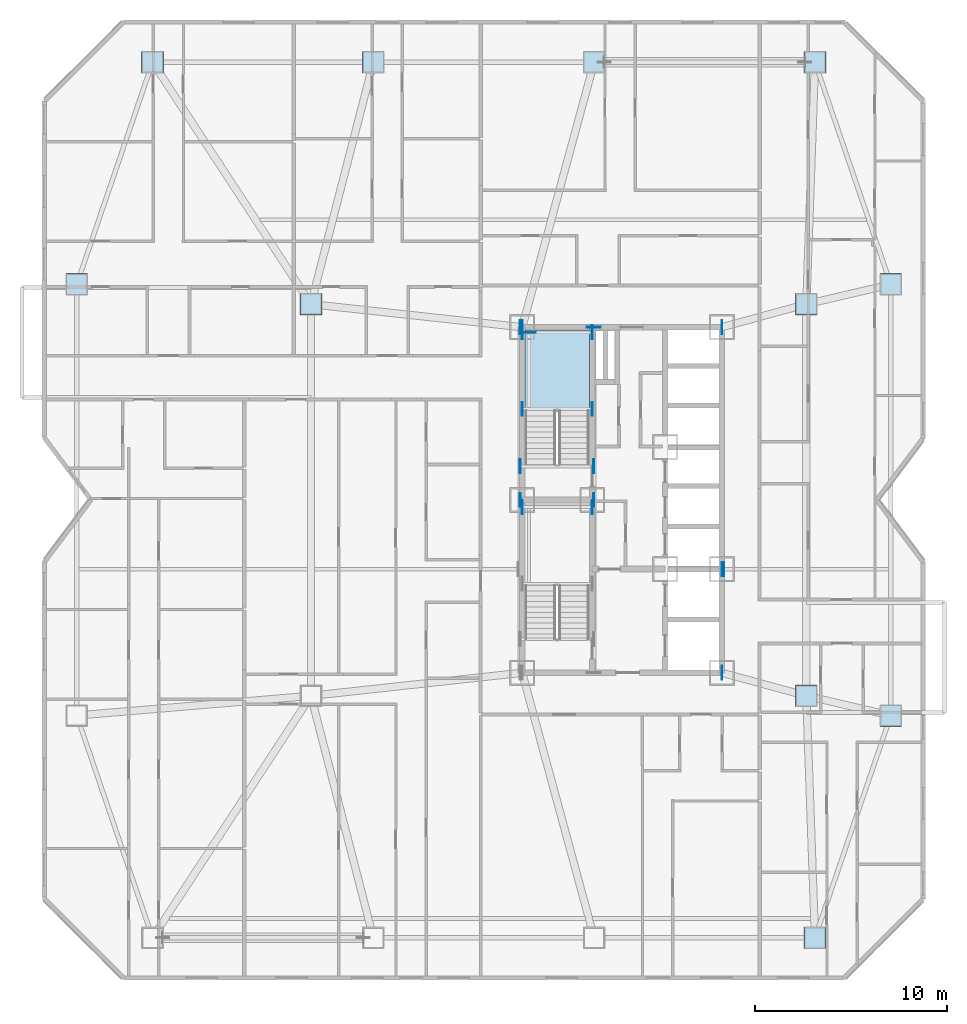
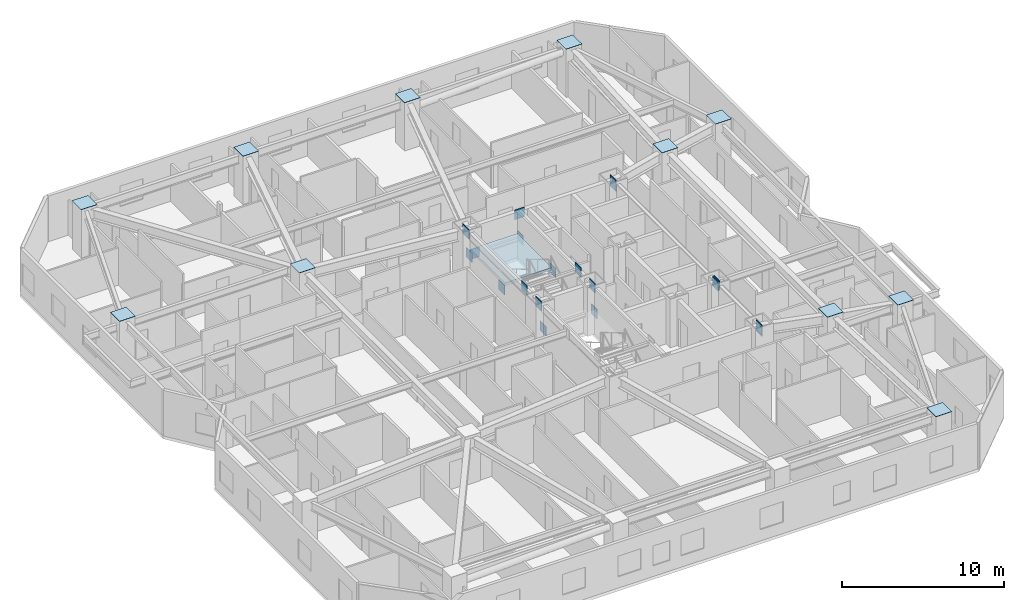
# One storey, part 4 of 17: 31 plates, 1 slab, 1 element without a shape of its own.
"""IFC4 building model written with IfcOpenShell, lengths in metres."""

from ifc_helpers import new_model, si_unit, direction, frame, origin, origin_2d, place, context, subcontext, project, spatial, polyline, rectangle, outline, extrude, material, layer, layer_set, type_object, element, aggregate, save


model = new_model("IFC4")

# Units and contexts
model_context = context("Model", 3, precision=1e-05, world=origin(), true_north=direction((0.0, 1.0)))
body_context = subcontext(model_context, "Body", "Model", "MODEL_VIEW")
ifc_project = project(units=[si_unit("LENGTHUNIT", "METRE"), si_unit("AREAUNIT", "SQUARE_METRE"), si_unit("VOLUMEUNIT", "CUBIC_METRE"), si_unit("PLANEANGLEUNIT", "RADIAN"), si_unit("MASSUNIT", "GRAM", prefix="KILO")], contexts=[model_context])

# Site, building, storey
site_placement = place(None, origin())
site = spatial("IfcSite", under=ifc_project, at=site_placement, CompositionType="ELEMENT")
building_placement = place(site_placement, origin())
building = spatial("IfcBuilding", under=site, at=building_placement, Name="Khamvora Tower", CompositionType="ELEMENT")
storey_placement = place(building_placement, frame((0.0, 0.0, 73.449951171875)))
storey = spatial("IfcBuildingStorey", under=building, at=storey_placement, Name="L18", CompositionType="ELEMENT", Elevation=73.449951171875)

# Plates
ifc_material_1 = material(Name="Steel S355", Category="steel")
ifc_layer_1 = layer(ifc_material_1, 0.02490234375)
ifc_layer_set_1 = layer_set([ifc_layer_1], Name="Steel S355")
plate_type_1 = type_object("IfcPlateType", Name="PL-CAP-25", PredefinedType="SHEET", material=ifc_layer_set_1)
for number, where, z_axis, x_axis, name in (
    (1, (44.25, 5.199951171875, 3.62451171875), (0.0, 0.0, 1.0), (1.0, 0.0, 0.0), "L18 hollow section steel end cap plate 0094"),
    (2, (9.75, 50.800048828125, 3.62451171875), (0.0, 0.0, 1.0), (1.0, 0.0, 0.0), "L18 hollow section steel end cap plate 0098"),
    (3, (21.25, 50.800048828125, 3.62451171875), (0.0, 0.0, 1.0), (1.0, 0.0, 0.0), "L18 hollow section steel end cap plate 0102"),
    (4, (32.75, 50.800048828125, 3.62451171875), (0.0, 0.0, 1.0), (1.0, 0.0, 0.0), "L18 hollow section steel end cap plate 0106"),
    (5, (44.25, 50.800048828125, 3.62451171875), (0.0, 0.0, 1.0), (1.0, 0.0, 0.0), "L18 hollow section steel end cap plate 0110"),
    (6, (5.800048828125, 39.22998046875, 3.62451171875), (0.0, 0.0, 1.0), (1.0, 0.0, 0.0), "L18 hollow section steel end cap plate 0118"),
    (7, (48.199951171875, 16.77001953125, 3.62451171875), (0.0, 0.0, 1.0), (1.0, 0.0, 0.0), "L18 hollow section steel end cap plate 0122"),
    (8, (48.199951171875, 39.22998046875, 3.62451171875), (0.0, 0.0, 1.0), (1.0, 0.0, 0.0), "L18 hollow section steel end cap plate 0126"),
    (9, (18.0, 38.199951171875, 3.62451171875), (0.0, 0.0, 1.0), (1.0, 0.0, 0.0), "L18 hollow section steel end cap plate 0135"),
    (10, (43.800048828125, 17.800048828125, 3.62451171875), (0.0, 0.0, 1.0), (1.0, 0.0, 0.0), "L18 hollow section steel end cap plate 0140"),
    (11, (43.800048828125, 38.199951171875, 3.62451171875), (0.0, 0.0, 1.0), (1.0, 0.0, 0.0), "L18 hollow section steel end cap plate 0144"),
):
    element("IfcPlate", number, at=place(storey_placement, frame(where, z_axis=z_axis, x_axis=x_axis)), inside=storey, type_object=plate_type_1, Name=name, PredefinedType="SHEET", context=body_context, shape_type="SweptSolid", body=[
        extrude(rectangle(XDim=1.1298828125, YDim=1.1298828125, at=origin_2d()), origin(), (0.0, 0.0, 1.0), 0.02490234375),
    ])
ifc_material_2 = material(Name="Steel S460", Category="steel")
ifc_layer_2 = layer(ifc_material_2, 0.034912109375)
ifc_layer_set_2 = layer_set([ifc_layer_2], Name="Steel S460")
plate_type_2 = type_object("IfcPlateType", Name="PL-EMB-35", PredefinedType="SHEET", material=ifc_layer_set_2)
for number, where, z_axis, x_axis, name in (
    (12, (29.0, 27.6298828125, 1.13427734375), (0.0, 0.0, 1.0), (1.0, 0.0, 0.0), "L18 core shear wall cast-in embed plate 0536"),
    (13, (32.64990234375, 27.6298828125, 1.13427734375), (0.0, 0.0, 1.0), (1.0, 0.0, 0.0), "L18 core shear wall cast-in embed plate 0537"),
    (14, (29.0, 32.735107421875, 1.13427734375), (0.0, 0.0, 1.0), (1.0, 0.0, 0.0), "L18 core shear wall cast-in embed plate 0538"),
    (15, (32.64990234375, 32.735107421875, 1.13427734375), (0.0, 0.0, 1.0), (1.0, 0.0, 0.0), "L18 core shear wall cast-in embed plate 0539"),
    (16, (29.0, 36.72998046875, 1.13427734375), (0.0, 0.0, 1.0), (1.0, 0.0, 0.0), "L18 core shear wall cast-in embed plate 0540"),
    (17, (32.64990234375, 36.72998046875, 1.13427734375), (0.0, 0.0, 1.0), (1.0, 0.0, 0.0), "L18 core shear wall cast-in embed plate 0541"),
):
    element("IfcPlate", number, at=place(storey_placement, frame(where, z_axis=z_axis, x_axis=x_axis)), inside=storey, type_object=plate_type_2, Name=name, PredefinedType="SHEET", context=body_context, shape_type="SweptSolid", body=[
        extrude(rectangle(XDim=0.034912109375, YDim=0.719970703125, at=origin_2d()), origin(), (0.0, 0.0, 1.0), 0.719970703125),
    ])
plate_1_placement = place(storey_placement, frame((29.35009765625, 36.72998046875, 1.13427734375), z_axis=(0.0, 0.0, 1.0), x_axis=(1.0, 0.0, 0.0)))
element("IfcPlate", 18, at=plate_1_placement, inside=storey, type_object=plate_type_2, Name="L18 core shear wall cast-in embed plate 0542", PredefinedType="SHEET", context=body_context, shape_type="SweptSolid", body=[
    extrude(rectangle(XDim=0.719970703125, YDim=0.034912109375, at=origin_2d()), origin(), (0.0, 0.0, 1.0), 0.719970703125),
])
for number, where, z_axis, x_axis, name in (
    (19, (29.0, 37.0, 2.68310546875), (0.0, 0.0, 1.0), (1.0, 0.0, 0.0), "L18 core shear wall cast-in embed plate 0544"),
    (20, (39.39990234375, 19.0, 2.68310546875), (0.0, 0.0, 1.0), (1.0, 0.0, 0.0), "L18 core shear wall cast-in embed plate 0545"),
    (21, (39.39990234375, 37.0, 2.68310546875), (0.0, 0.0, 1.0), (1.0, 0.0, 0.0), "L18 core shear wall cast-in embed plate 0546"),
    (22, (28.89990234375, 28.0, 2.80419921875), (0.0, 0.0, 1.0), (1.0, 0.0, 0.0), "L18 core shear wall cast-in embed plate 0548"),
    (23, (28.89990234375, 37.0, 2.80419921875), (0.0, 0.0, 1.0), (1.0, 0.0, 0.0), "L18 core shear wall cast-in embed plate 0549"),
    (24, (32.72998046875, 28.0, 2.80419921875), (0.0, 0.0, 1.0), (1.0, 0.0, 0.0), "L18 core shear wall cast-in embed plate 0551"),
):
    element("IfcPlate", number, at=place(storey_placement, frame(where, z_axis=z_axis, x_axis=x_axis)), inside=storey, type_object=plate_type_2, Name=name, PredefinedType="SHEET", context=body_context, shape_type="SweptSolid", body=[
        extrude(rectangle(XDim=0.034912109375, YDim=0.719970703125, at=origin_2d()), origin(), (0.0, 0.0, 1.0), 0.719970703125),
    ])
plate_2_placement = place(storey_placement, frame((32.72998046875, 37.0, 2.80419921875), z_axis=(0.0, 0.0, 1.0), x_axis=(1.0, 0.0, 0.0)))
element("IfcPlate", 25, at=plate_2_placement, inside=storey, type_object=plate_type_2, Name="L18 core shear wall cast-in embed plate 0552", PredefinedType="SHEET", context=body_context, shape_type="SweptSolid", body=[
    extrude(rectangle(XDim=0.719970703125, YDim=0.034912109375, at=origin_2d()), origin(), (0.0, 0.0, 1.0), 0.719970703125),
])
for number, where, z_axis, x_axis, name in (
    (26, (39.39990234375, 19.0, 2.80419921875), (0.0, 0.0, 1.0), (1.0, 0.0, 0.0), "L18 core shear wall cast-in embed plate 0553"),
    (27, (39.39990234375, 24.39990234375, 2.80419921875), (0.0, 0.0, 1.0), (1.0, 0.0, 0.0), "L18 core shear wall cast-in embed plate 0554"),
    (28, (39.39990234375, 37.0, 2.80419921875), (0.0, 0.0, 1.0), (1.0, 0.0, 0.0), "L18 core shear wall cast-in embed plate 0555"),
    (29, (28.89990234375, 29.75, 2.94384765625), (0.0, 0.0, 1.0), (1.0, 0.0, 0.0), "L18 core shear wall cast-in embed plate 0558"),
    (30, (32.72998046875, 29.75, 2.94384765625), (0.0, 0.0, 1.0), (1.0, 0.0, 0.0), "L18 core shear wall cast-in embed plate 0559"),
    (31, (39.4990234375, 24.39990234375, 2.837890625), (0.0, 0.0, 1.0), (1.0, 0.0, 0.0), "L18 core shear wall cast-in embed plate 0561"),
):
    element("IfcPlate", number, at=place(storey_placement, frame(where, z_axis=z_axis, x_axis=x_axis)), inside=storey, type_object=plate_type_2, Name=name, PredefinedType="SHEET", context=body_context, shape_type="SweptSolid", body=[
        extrude(rectangle(XDim=0.034912109375, YDim=0.719970703125, at=origin_2d()), origin(), (0.0, 0.0, 1.0), 0.719970703125),
    ])

# Stair, slab
ifc_material_3 = material(Name="Concrete C40/50", Category="concrete")
stair_type = type_object("IfcStairType", Name="STR-ST-02", PredefinedType="HALF_TURN_STAIR", material=ifc_material_3)
stair_placement = place(storey_placement, origin())
stair = element("IfcStair", 32, at=stair_placement, inside=storey, type_object=stair_type, Name="L18 North Tower Exit Stair ST-02", PredefinedType="HALF_TURN_STAIR")
ifc_layer_3 = layer(ifc_material_3, 0.199951171875)
ifc_layer_set_3 = layer_set([ifc_layer_3], Name="Concrete C40/50")
slab_type = type_object("IfcSlabType", Name="SLB-LND-200", PredefinedType="LANDING", material=ifc_layer_set_3)
slab_placement = place(storey_placement, frame((0.0, 0.0, 1.625)))
slab = element("IfcSlab", 33, at=slab_placement, type_object=slab_type, Name="ST-02 landing 1", PredefinedType="LANDING", context=body_context, shape_type="SweptSolid", body=[
    extrude(outline(polyline([(32.5, 32.614990234375), (32.5, 36.85009765625), (29.14990234375, 36.85009765625), (29.14990234375, 32.614990234375), (32.5, 32.614990234375)])), origin(), (0.0, 0.0, 1.0), 0.199951171875),
])
aggregate(stair, [slab])

save(model, "model.ifc")
